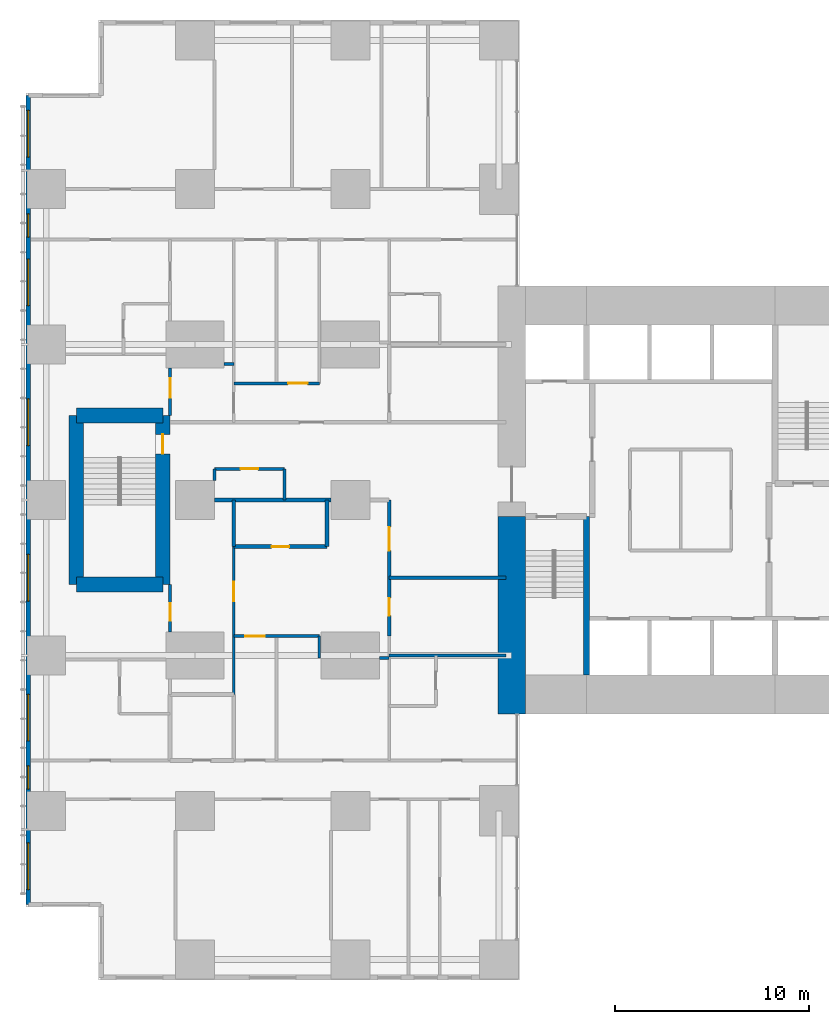
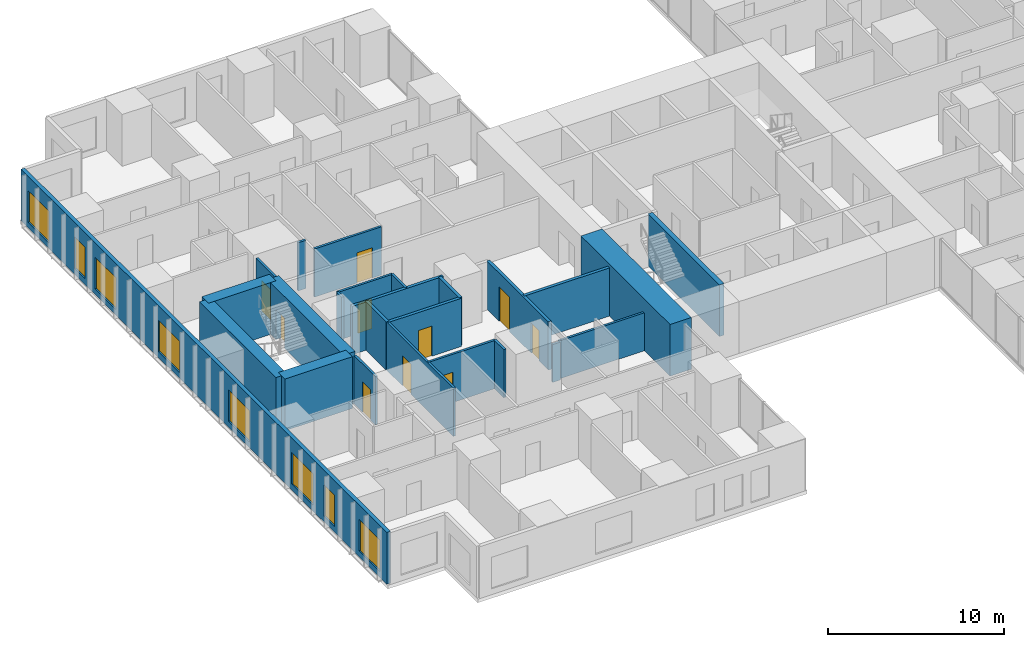
# One storey, part 13 of 20: 25 walls, 10 doors, 8 windows, 18 openings.
"""IFC4 building model written with IfcOpenShell, lengths in metres."""

import ifcopenshell
import ifcopenshell.guid

model = None  # the IFC model being written
_history = None  # IfcOwnerHistory: only IFC2X3 demands one
_inside = {}  # id of a spatial element -> (the spatial element, [elements in it])
_under = {}  # id of a project, library or spatial element -> (it, [spatial elements below it])
_declared = {}  # id of a project -> (the project, [libraries it declares])
_typed = {}  # id of a type object -> (the type object, [elements of that type])
_made_of = {}  # id of a material, layer set ... -> (it, [elements and type objects made of it])


def new_model(schema):
    """Start an empty IFC model of exactly this schema.

    Asked for "IFC4X3", IfcOpenShell would pick the latest addendum, in which some entities
    have other attributes; the version numbers below select the first issue.
    IFC2X3 requires an IfcOwnerHistory on every rooted entity: one is made here for all.
    """
    global model, _history
    if schema == "IFC4X3":
        model = ifcopenshell.file(schema_version=(4, 3, 0, 0))
    else:
        model = ifcopenshell.file(schema=schema)
    _inside.clear()
    _under.clear()
    _declared.clear()
    _typed.clear()
    _made_of.clear()
    _history = None
    if model.schema == "IFC2X3":
        org = make("IfcOrganization", Name="unknown")
        user = make(
            "IfcPersonAndOrganization",
            ThePerson=make("IfcPerson", FamilyName="unknown"),
            TheOrganization=org,
        )
        app = make(
            "IfcApplication",
            ApplicationDeveloper=org,
            Version="unknown",
            ApplicationFullName="unknown",
            ApplicationIdentifier="unknown",
        )
        _history = make(
            "IfcOwnerHistory",
            OwningUser=user,
            OwningApplication=app,
            ChangeAction="ADDED",
            CreationDate=0,
        )
    return model


def make(cls, **values):
    """One entity of the class cls with the attributes given. An attribute that is None is left unset."""
    return model.create_entity(
        cls, **{name: value for name, value in values.items() if value is not None}
    )


def rooted(cls, **values):
    """An entity with a GlobalId (a new one), such as an element, a storey or a relation."""
    return make(cls, GlobalId=ifcopenshell.guid.new(), OwnerHistory=_history, **values)


def si_unit(unit_type, name, prefix=None):
    """IfcSIUnit, for example si_unit("LENGTHUNIT", "METRE", prefix="MILLI")."""
    return make("IfcSIUnit", UnitType=unit_type, Prefix=prefix, Name=name)


def assignment(units):
    """IfcUnitAssignment: the units of a project."""
    return None if units is None else make("IfcUnitAssignment", Units=units)


def point(xyz):
    """IfcCartesianPoint."""
    return None if xyz is None else make("IfcCartesianPoint", Coordinates=xyz)


def direction(xyz):
    """IfcDirection."""
    return None if xyz is None else make("IfcDirection", DirectionRatios=xyz)


def frame(location, z_axis=None, x_axis=None):
    """IfcAxis2Placement3D, a coordinate frame: its origin and axes. An axis left out is left unset."""
    return make(
        "IfcAxis2Placement3D",
        Location=point(location),
        Axis=direction(z_axis),
        RefDirection=direction(x_axis),
    )


def frame_2d(location, x_axis=None):
    """IfcAxis2Placement2D, a coordinate frame in the plane: its origin and x axis."""
    return make(
        "IfcAxis2Placement2D", Location=point(location), RefDirection=direction(x_axis)
    )


def origin():
    """The frame at (0, 0, 0) with its axes left unset."""
    return frame((0.0, 0.0, 0.0))


def place(relative_to, where):
    """IfcLocalPlacement: puts the frame where relative to a parent placement (None: the world)."""
    return make(
        "IfcLocalPlacement", PlacementRelTo=relative_to, RelativePlacement=where
    )


def context(
    kind, dimensions, precision=None, world=None, true_north=None, identifier=None
):
    """IfcGeometricRepresentationContext, for example the 3D "Model" context."""
    return make(
        "IfcGeometricRepresentationContext",
        ContextIdentifier=identifier,
        ContextType=kind,
        CoordinateSpaceDimension=dimensions,
        Precision=precision,
        WorldCoordinateSystem=world,
        TrueNorth=true_north,
    )


def subcontext(parent, identifier, kind, view, scale=None):
    """IfcGeometricRepresentationSubContext, for example "Body" below "Model"."""
    return make(
        "IfcGeometricRepresentationSubContext",
        ContextIdentifier=identifier,
        ContextType=kind,
        ParentContext=parent,
        TargetScale=scale,
        TargetView=view,
    )


def project(units=None, contexts=None):
    """IfcProject with its units and contexts."""
    return rooted(
        "IfcProject",
        Name="project",
        RepresentationContexts=contexts,
        UnitsInContext=assignment(units),
    )


def spatial(cls, under=None, at=None, **own):
    """A site, building, storey or space (cls), placed at a placement, below another one or the project."""
    s = rooted(cls, ObjectPlacement=at, **own)
    if under is not None:
        _under.setdefault(under.id(), (under, []))[1].append(s)
    return s


def profile(cls, at=None, kind="AREA", **sizes):
    """A parametric profile (cls). Its sizes go by their IFC names, for example OverallWidth=200.0."""
    return make(cls, ProfileType=kind, Position=at, **sizes)


def rectangle(**sizes):
    """IfcRectangleProfileDef."""
    return profile("IfcRectangleProfileDef", **sizes)


def extrude(swept, where, along, depth):
    """IfcExtrudedAreaSolid: the profile swept, set in the frame where, extruded along a direction by depth."""
    return make(
        "IfcExtrudedAreaSolid",
        SweptArea=swept,
        Position=where,
        ExtrudedDirection=direction(along),
        Depth=depth,
    )


def shape(context_of_items, identifier, shape_type, items):
    """IfcShapeRepresentation: the items that make up one representation, for example the "Body"."""
    return make(
        "IfcShapeRepresentation",
        ContextOfItems=context_of_items,
        RepresentationIdentifier=identifier,
        RepresentationType=shape_type,
        Items=items,
    )


def material(Name=None, Category=None):
    """IfcMaterial."""
    return make("IfcMaterial", Name=Name, Category=Category)


def layer(
    of_material, thickness, ventilated=None, Name=None, Category=None, Priority=None
):
    """IfcMaterialLayer: one layer of a wall or slab, of a material (None: an air gap)."""
    return make(
        "IfcMaterialLayer",
        Material=of_material,
        LayerThickness=thickness,
        IsVentilated=ventilated,
        Name=Name,
        Category=Category,
        Priority=Priority,
    )


def layer_set(layers, Name=None):
    """IfcMaterialLayerSet."""
    return make("IfcMaterialLayerSet", MaterialLayers=layers, LayerSetName=Name)


def made_of(thing, what):
    """Note that an element or type object is made of a material, layer set ...; save() writes the relation."""
    if what is not None:
        _made_of.setdefault(what.id(), (what, []))[1].append(thing)
    return thing


def type_object(cls, material=None, **own):
    """A type object (cls), such as IfcWallType, which elements share."""
    return made_of(rooted(cls, **own), material)


def element(
    cls,
    number,
    at=None,
    inside=None,
    cuts=None,
    type_object=None,
    material=None,
    context=None,
    identifier="Body",
    shape_type=None,
    held_by="IfcProductDefinitionShape",
    body=None,
    shapes=None,
    **own,
):
    """One element of the class cls, such as IfcWall. Its Tag is "e" and its number.

    at: its placement. inside: the storey or other place that contains it. cuts: it is an
    opening in that element (IfcRelVoidsElement). A single representation is given by context,
    identifier, shape_type and body (its items); several are given by shapes. held_by: the class
    of the entity that holds the representations. save() writes the other relations.
    """
    e = rooted(cls, Tag="e%d" % number, ObjectPlacement=at, **own)
    if body is not None:
        shapes = [shape(context, identifier, shape_type, body)]
    if shapes is not None:
        e.Representation = make(held_by, Representations=shapes)
    if inside is not None:
        _inside.setdefault(inside.id(), (inside, []))[1].append(e)
    if cuts is not None:
        rooted(
            "IfcRelVoidsElement", RelatingBuildingElement=cuts, RelatedOpeningElement=e
        )
    if type_object is not None:
        _typed.setdefault(type_object.id(), (type_object, []))[1].append(e)
    return made_of(e, material)


def fill(opening, filler):
    """IfcRelFillsElement: the door or window that sits in an opening."""
    return rooted(
        "IfcRelFillsElement",
        RelatingOpeningElement=opening,
        RelatedBuildingElement=filler,
    )


def aggregate(whole, parts):
    """IfcRelAggregates: a whole, such as a stair, and the parts it consists of."""
    return rooted("IfcRelAggregates", RelatingObject=whole, RelatedObjects=parts)


def save(model, path):
    """Write the relations noted so far, then the file.

    IfcRelAggregates (storeys below a building ...), IfcRelContainedInSpatialStructure (elements
    in a storey), IfcRelDefinesByType, IfcRelAssociatesMaterial and IfcRelDeclares: one each for
    every whole, place, type object, material and project.
    """
    for whole, parts in _under.values():
        aggregate(whole, parts)
    for where, things in _inside.values():
        rooted(
            "IfcRelContainedInSpatialStructure",
            RelatedElements=things,
            RelatingStructure=where,
        )
    for kind, things in _typed.values():
        rooted("IfcRelDefinesByType", RelatedObjects=things, RelatingType=kind)
    for what, things in _made_of.values():
        rooted("IfcRelAssociatesMaterial", RelatedObjects=things, RelatingMaterial=what)
    for by, libraries in _declared.values():
        rooted("IfcRelDeclares", RelatingContext=by, RelatedDefinitions=libraries)
    model.write(path)


model = new_model("IFC4")

# Units and contexts
model_context = context("Model", 3, precision=1e-05, world=origin(), true_north=direction((0.0, 1.0)))
body_context = subcontext(model_context, "Body", "Model", "MODEL_VIEW")
ifc_project = project(units=[si_unit("LENGTHUNIT", "METRE"), si_unit("AREAUNIT", "SQUARE_METRE"), si_unit("VOLUMEUNIT", "CUBIC_METRE"), si_unit("PLANEANGLEUNIT", "RADIAN"), si_unit("MASSUNIT", "GRAM", prefix="KILO")], contexts=[model_context])

# Site, building, storey
site_placement = place(None, origin())
site = spatial("IfcSite", under=ifc_project, at=site_placement, CompositionType="ELEMENT")
building_placement = place(site_placement, origin())
building = spatial("IfcBuilding", under=site, at=building_placement, Name="Cleftline Residences", CompositionType="ELEMENT")
storey_placement = place(building_placement, frame((0.0, 0.0, 153.800048828125)))
storey = spatial("IfcBuildingStorey", under=building, at=storey_placement, Name="L40", CompositionType="ELEMENT", Elevation=153.800048828125)

# Walls
ifc_material_1 = material(Name="Concrete B70", Category="concrete")
ifc_layer_1 = layer(ifc_material_1, 1.39990234375)
ifc_layer_set_1 = layer_set([ifc_layer_1], Name="CORE WALL 1400")
wall_type_1 = type_object("IfcWallType", Name="CORE WALL 1400", PredefinedType="SHEAR", material=ifc_layer_set_1)
wall_1_placement = place(storey_placement, frame((24.300048828125, 13.0, 0.0), z_axis=(0.0, 0.0, 1.0), x_axis=(0.0, 1.0, 0.0)))
element("IfcWall", 1, at=wall_1_placement, inside=storey, type_object=wall_type_1, Name="Core wall W0", PredefinedType="SHEAR", context=body_context, shape_type="SweptSolid", body=[
    extrude(rectangle(XDim=10.14990234375, YDim=1.39990234375, at=frame_2d((5.074951171875, 0.0))), origin(), (0.0, 0.0, 1.0), 3.599853515625),
])
ifc_material_2 = material(Name="Concrete B70", Category="concrete")
ifc_layer_2 = layer(ifc_material_2, 0.300048828125)
ifc_layer_set_2 = layer_set([ifc_layer_2], Name="CORE WALL 300")
wall_type_2 = type_object("IfcWallType", Name="CORE WALL 300", PredefinedType="SHEAR", material=ifc_layer_set_2)
wall_2_placement = place(storey_placement, frame((28.14990234375, 15.0, 0.0), z_axis=(0.0, 0.0, 1.0), x_axis=(0.0, 1.0, 0.0)))
element("IfcWall", 2, at=wall_2_placement, inside=storey, type_object=wall_type_2, Name="Core wall SA-E", PredefinedType="SHEAR", context=body_context, shape_type="SweptSolid", body=[
    extrude(rectangle(XDim=8.14990234375, YDim=0.300048828125, at=frame_2d((4.074951171875, 0.0))), origin(), (0.0, 0.0, 1.0), 3.599853515625),
])

# Wall, openings, windows
ifc_material_3 = material(Name="Rendered reinforced concrete blockwork", Category="masonry")
ifc_layer_3 = layer(ifc_material_3, 0.25)
ifc_layer_set_3 = layer_set([ifc_layer_3], Name="EXTERNAL WALL 250")
wall_type_3 = type_object("IfcWallType", Name="EXTERNAL WALL 250", PredefinedType="SOLIDWALL", material=ifc_layer_set_3)
wall_3_placement = place(storey_placement, frame((-0.574951171875, 44.824951171875, 0.0), z_axis=(0.0, 0.0, 1.0), x_axis=(0.0, -1.0, 0.0)))
wall_3 = element("IfcWall", 3, at=wall_3_placement, inside=storey, type_object=wall_type_3, Name="External wall", PredefinedType="SOLIDWALL", context=body_context, shape_type="SweptSolid", body=[
    extrude(rectangle(XDim=41.64990234375, YDim=0.25, at=frame_2d((20.824951171875, 0.0))), origin(), (0.0, 0.0, 1.0), 3.599853515625),
])
opening_1_placement = place(wall_3_placement, frame((0.77490234375, 0.0, 0.39990234375)))
opening_1 = element("IfcOpeningElement", 4, at=opening_1_placement, cuts=wall_3, Name="Opening W12", PredefinedType="OPENING", context=body_context, shape_type="SweptSolid", body=[
    extrude(rectangle(XDim=2.39990234375, YDim=2.199951171875, at=frame_2d((1.199951171875, 1.10009765625))), frame((0.0, 0.135009765625, 0.0), z_axis=(0.0, -1.0, 0.0), x_axis=(1.0, 0.0, 0.0)), (0.0, 0.0, 1.0), 0.27001953125),
])
opening_2_placement = place(wall_3_placement, frame((6.10009765625, 0.0, 0.39990234375)))
opening_2 = element("IfcOpeningElement", 5, at=opening_2_placement, cuts=wall_3, Name="Opening W11", PredefinedType="OPENING", context=body_context, shape_type="SweptSolid", body=[
    extrude(rectangle(XDim=1.199951171875, YDim=2.199951171875, at=frame_2d((0.60009765625, 1.10009765625))), frame((0.0, 0.135009765625, 0.0), z_axis=(0.0, -1.0, 0.0), x_axis=(1.0, 0.0, 0.0)), (0.0, 0.0, 1.0), 0.27001953125),
])
opening_3_placement = place(wall_3_placement, frame((8.425048828125, 0.0, 0.39990234375)))
opening_3 = element("IfcOpeningElement", 6, at=opening_3_placement, cuts=wall_3, Name="Opening W12", PredefinedType="OPENING", context=body_context, shape_type="SweptSolid", body=[
    extrude(rectangle(XDim=2.39990234375, YDim=2.199951171875, at=frame_2d((1.199951171875, 1.10009765625))), frame((0.0, 0.135009765625, 0.0), z_axis=(0.0, -1.0, 0.0), x_axis=(1.0, 0.0, 0.0)), (0.0, 0.0, 1.0), 0.27001953125),
])
opening_4_placement = place(wall_3_placement, frame((15.625, 0.0, 0.39990234375)))
opening_4 = element("IfcOpeningElement", 7, at=opening_4_placement, cuts=wall_3, Name="Opening W12", PredefinedType="OPENING", context=body_context, shape_type="SweptSolid", body=[
    extrude(rectangle(XDim=2.39990234375, YDim=2.199951171875, at=frame_2d((1.199951171875, 1.10009765625))), frame((0.0, 0.135009765625, 0.0), z_axis=(0.0, -1.0, 0.0), x_axis=(1.0, 0.0, 0.0)), (0.0, 0.0, 1.0), 0.27001953125),
])
opening_5_placement = place(wall_3_placement, frame((23.625, 0.0, 0.39990234375)))
opening_5 = element("IfcOpeningElement", 8, at=opening_5_placement, cuts=wall_3, Name="Opening W12", PredefinedType="OPENING", context=body_context, shape_type="SweptSolid", body=[
    extrude(rectangle(XDim=2.39990234375, YDim=2.199951171875, at=frame_2d((1.199951171875, 1.10009765625))), frame((0.0, 0.135009765625, 0.0), z_axis=(0.0, -1.0, 0.0), x_axis=(1.0, 0.0, 0.0)), (0.0, 0.0, 1.0), 0.27001953125),
])
opening_6_placement = place(wall_3_placement, frame((30.824951171875, 0.0, 0.39990234375)))
opening_6 = element("IfcOpeningElement", 9, at=opening_6_placement, cuts=wall_3, Name="Opening W12", PredefinedType="OPENING", context=body_context, shape_type="SweptSolid", body=[
    extrude(rectangle(XDim=2.39990234375, YDim=2.199951171875, at=frame_2d((1.199951171875, 1.10009765625))), frame((0.0, 0.135009765625, 0.0), z_axis=(0.0, -1.0, 0.0), x_axis=(1.0, 0.0, 0.0)), (0.0, 0.0, 1.0), 0.27001953125),
])
opening_7_placement = place(wall_3_placement, frame((34.5, 0.0, 0.39990234375)))
opening_7 = element("IfcOpeningElement", 10, at=opening_7_placement, cuts=wall_3, Name="Opening W11", PredefinedType="OPENING", context=body_context, shape_type="SweptSolid", body=[
    extrude(rectangle(XDim=1.199951171875, YDim=2.199951171875, at=frame_2d((0.60009765625, 1.10009765625))), frame((0.0, 0.135009765625, 0.0), z_axis=(0.0, -1.0, 0.0), x_axis=(1.0, 0.0, 0.0)), (0.0, 0.0, 1.0), 0.27001953125),
])
opening_8_placement = place(wall_3_placement, frame((38.47509765625, 0.0, 0.39990234375)))
opening_8 = element("IfcOpeningElement", 11, at=opening_8_placement, cuts=wall_3, Name="Opening W12", PredefinedType="OPENING", context=body_context, shape_type="SweptSolid", body=[
    extrude(rectangle(XDim=2.39990234375, YDim=2.199951171875, at=frame_2d((1.199951171875, 1.10009765625))), frame((0.0, 0.135009765625, 0.0), z_axis=(0.0, -1.0, 0.0), x_axis=(1.0, 0.0, 0.0)), (0.0, 0.0, 1.0), 0.27001953125),
])
ifc_material_4 = material(Name="Aluminium frame, clear double glazing", Category="aluminium")
window_type_1 = type_object("IfcWindowType", Name="WINDOW 1200X2200", PartitioningType="DOUBLE_PANEL_VERTICAL", PredefinedType="WINDOW", material=ifc_material_4)
window_1_placement = place(opening_2_placement, origin())
window_1 = element("IfcWindow", 12, at=window_1_placement, inside=storey, type_object=window_type_1, Name="Window", OverallHeight=2.199951171875, OverallWidth=1.199951171875, PartitioningType="SINGLE_PANEL", PredefinedType="WINDOW", context=body_context, shape_type="SweptSolid", body=[
    extrude(rectangle(XDim=1.199951171875, YDim=2.199951171875, at=frame_2d((0.60009765625, 1.10009765625))), frame((0.0, 0.030029296875, 0.0), z_axis=(0.0, -1.0, 0.0), x_axis=(1.0, 0.0, 0.0)), (0.0, 0.0, 1.0), 0.06005859375),
])
fill(opening_2, window_1)
window_2_placement = place(opening_7_placement, origin())
window_2 = element("IfcWindow", 13, at=window_2_placement, inside=storey, type_object=window_type_1, Name="Window", OverallHeight=2.199951171875, OverallWidth=1.199951171875, PartitioningType="SINGLE_PANEL", PredefinedType="WINDOW", context=body_context, shape_type="SweptSolid", body=[
    extrude(rectangle(XDim=1.199951171875, YDim=2.199951171875, at=frame_2d((0.60009765625, 1.10009765625))), frame((0.0, 0.030029296875, 0.0), z_axis=(0.0, -1.0, 0.0), x_axis=(1.0, 0.0, 0.0)), (0.0, 0.0, 1.0), 0.06005859375),
])
fill(opening_7, window_2)
ifc_material_5 = material(Name="Aluminium frame, clear double glazing", Category="aluminium")
window_type_2 = type_object("IfcWindowType", Name="WINDOW 2400X2200", PartitioningType="DOUBLE_PANEL_VERTICAL", PredefinedType="WINDOW", material=ifc_material_5)
window_3_placement = place(opening_1_placement, origin())
window_3 = element("IfcWindow", 14, at=window_3_placement, inside=storey, type_object=window_type_2, Name="Window", OverallHeight=2.199951171875, OverallWidth=2.39990234375, PartitioningType="SINGLE_PANEL", PredefinedType="WINDOW", context=body_context, shape_type="SweptSolid", body=[
    extrude(rectangle(XDim=2.39990234375, YDim=2.199951171875, at=frame_2d((1.199951171875, 1.10009765625))), frame((0.0, 0.030029296875, 0.0), z_axis=(0.0, -1.0, 0.0), x_axis=(1.0, 0.0, 0.0)), (0.0, 0.0, 1.0), 0.06005859375),
])
fill(opening_1, window_3)
window_4_placement = place(opening_3_placement, origin())
window_4 = element("IfcWindow", 15, at=window_4_placement, inside=storey, type_object=window_type_2, Name="Window", OverallHeight=2.199951171875, OverallWidth=2.39990234375, PartitioningType="SINGLE_PANEL", PredefinedType="WINDOW", context=body_context, shape_type="SweptSolid", body=[
    extrude(rectangle(XDim=2.39990234375, YDim=2.199951171875, at=frame_2d((1.199951171875, 1.10009765625))), frame((0.0, 0.030029296875, 0.0), z_axis=(0.0, -1.0, 0.0), x_axis=(1.0, 0.0, 0.0)), (0.0, 0.0, 1.0), 0.06005859375),
])
fill(opening_3, window_4)
window_5_placement = place(opening_4_placement, origin())
window_5 = element("IfcWindow", 16, at=window_5_placement, inside=storey, type_object=window_type_2, Name="Window", OverallHeight=2.199951171875, OverallWidth=2.39990234375, PartitioningType="SINGLE_PANEL", PredefinedType="WINDOW", context=body_context, shape_type="SweptSolid", body=[
    extrude(rectangle(XDim=2.39990234375, YDim=2.199951171875, at=frame_2d((1.199951171875, 1.10009765625))), frame((0.0, 0.030029296875, 0.0), z_axis=(0.0, -1.0, 0.0), x_axis=(1.0, 0.0, 0.0)), (0.0, 0.0, 1.0), 0.06005859375),
])
fill(opening_4, window_5)
window_6_placement = place(opening_5_placement, origin())
window_6 = element("IfcWindow", 17, at=window_6_placement, inside=storey, type_object=window_type_2, Name="Window", OverallHeight=2.199951171875, OverallWidth=2.39990234375, PartitioningType="SINGLE_PANEL", PredefinedType="WINDOW", context=body_context, shape_type="SweptSolid", body=[
    extrude(rectangle(XDim=2.39990234375, YDim=2.199951171875, at=frame_2d((1.199951171875, 1.10009765625))), frame((0.0, 0.030029296875, 0.0), z_axis=(0.0, -1.0, 0.0), x_axis=(1.0, 0.0, 0.0)), (0.0, 0.0, 1.0), 0.06005859375),
])
fill(opening_5, window_6)
window_7_placement = place(opening_6_placement, origin())
window_7 = element("IfcWindow", 18, at=window_7_placement, inside=storey, type_object=window_type_2, Name="Window", OverallHeight=2.199951171875, OverallWidth=2.39990234375, PartitioningType="SINGLE_PANEL", PredefinedType="WINDOW", context=body_context, shape_type="SweptSolid", body=[
    extrude(rectangle(XDim=2.39990234375, YDim=2.199951171875, at=frame_2d((1.199951171875, 1.10009765625))), frame((0.0, 0.030029296875, 0.0), z_axis=(0.0, -1.0, 0.0), x_axis=(1.0, 0.0, 0.0)), (0.0, 0.0, 1.0), 0.06005859375),
])
fill(opening_6, window_7)
window_8_placement = place(opening_8_placement, origin())
window_8 = element("IfcWindow", 19, at=window_8_placement, inside=storey, type_object=window_type_2, Name="Window", OverallHeight=2.199951171875, OverallWidth=2.39990234375, PartitioningType="SINGLE_PANEL", PredefinedType="WINDOW", context=body_context, shape_type="SweptSolid", body=[
    extrude(rectangle(XDim=2.39990234375, YDim=2.199951171875, at=frame_2d((1.199951171875, 1.10009765625))), frame((0.0, 0.030029296875, 0.0), z_axis=(0.0, -1.0, 0.0), x_axis=(1.0, 0.0, 0.0)), (0.0, 0.0, 1.0), 0.06005859375),
])
fill(opening_8, window_8)

# Wall
ifc_material_6 = material(Name="Concrete blockwork, fire rated", Category="masonry")
ifc_layer_4 = layer(ifc_material_6, 0.199951171875)
ifc_layer_set_4 = layer_set([ifc_layer_4], Name="FIRE WALL 200")
wall_type_4 = type_object("IfcWallType", Name="FIRE WALL 200", PredefinedType="PARTITIONING", material=ifc_layer_set_4)
wall_4_placement = place(storey_placement, frame((18.0, 20.0, 0.0), z_axis=(0.0, 0.0, 1.0), x_axis=(1.0, 0.0, 0.0)))
element("IfcWall", 20, at=wall_4_placement, inside=storey, type_object=wall_type_4, Name="Fire separating wall", PredefinedType="PARTITIONING", context=body_context, shape_type="SweptSolid", body=[
    extrude(rectangle(XDim=6.0, YDim=0.199951171875, at=frame_2d((3.0, 0.0))), origin(), (0.0, 0.0, 1.0), 3.349853515625),
])

# Wall, opening, door
wall_5_placement = place(storey_placement, frame((10.0, 21.60009765625, 0.0), z_axis=(0.0, 0.0, 1.0), x_axis=(1.0, 0.0, 0.0)))
wall_5 = element("IfcWall", 21, at=wall_5_placement, inside=storey, type_object=wall_type_4, Name="Fire separating wall", PredefinedType="PARTITIONING", context=body_context, shape_type="SweptSolid", body=[
    extrude(rectangle(XDim=4.800048828125, YDim=0.199951171875, at=frame_2d((2.39990234375, 0.0))), origin(), (0.0, 0.0, 1.0), 3.349853515625),
])
opening_9_placement = place(wall_5_placement, frame((1.949951171875, 0.0, 0.0)))
opening_9 = element("IfcOpeningElement", 22, at=opening_9_placement, cuts=wall_5, Name="Opening D1F30", PredefinedType="OPENING", context=body_context, shape_type="SweptSolid", body=[
    extrude(rectangle(XDim=0.89990234375, YDim=2.10009765625, at=frame_2d((0.449951171875, 1.050048828125))), frame((0.0, 0.10986328125, 0.0), z_axis=(0.0, -1.0, 0.0), x_axis=(1.0, 0.0, 0.0)), (0.0, 0.0, 1.0), 0.219970703125),
])
ifc_material_7 = material(Name="Timber veneer on solid core", Category="wood")
door_type_1 = type_object("IfcDoorType", Name="DOOR 900X2100 EI 30", OperationType="SINGLE_SWING_LEFT", PredefinedType="DOOR", material=ifc_material_7)
door_1_placement = place(opening_9_placement, origin())
door_1 = element("IfcDoor", 23, at=door_1_placement, inside=storey, type_object=door_type_1, Name="Door to cloakroom wc", OperationType="SINGLE_SWING_LEFT", OverallHeight=2.10009765625, OverallWidth=0.89990234375, PredefinedType="DOOR", context=body_context, shape_type="SweptSolid", body=[
    extrude(rectangle(XDim=0.89990234375, YDim=2.10009765625, at=frame_2d((0.449951171875, 1.050048828125))), frame((0.0, 0.02490234375, 0.0), z_axis=(0.0, -1.0, 0.0), x_axis=(1.0, 0.0, 0.0)), (0.0, 0.0, 1.0), 0.050048828125),
])
fill(opening_9, door_1)

# Walls
wall_6_placement = place(storey_placement, frame((9.0, 24.0, 0.0), z_axis=(0.0, 0.0, 1.0), x_axis=(1.0, 0.0, 0.0)))
element("IfcWall", 24, at=wall_6_placement, inside=storey, type_object=wall_type_4, Name="Fire separating wall", PredefinedType="PARTITIONING", context=body_context, shape_type="SweptSolid", body=[
    extrude(rectangle(XDim=6.0, YDim=0.199951171875, at=frame_2d((3.0, 0.0))), origin(), (0.0, 0.0, 1.0), 3.349853515625),
])
for number, where, z_axis, x_axis, name in (
    (25, (10.0, 21.60009765625, 0.0), (0.0, 0.0, 1.0), (0.0, 1.0, 0.0), "Fire separating wall"),
    (26, (14.800048828125, 21.60009765625, 0.0), (0.0, 0.0, 1.0), (0.0, 1.0, 0.0), "Fire separating wall"),
):
    element("IfcWall", number, at=place(storey_placement, frame(where, z_axis=z_axis, x_axis=x_axis)), inside=storey, type_object=wall_type_4, Name=name, PredefinedType="PARTITIONING", context=body_context, shape_type="SweptSolid", body=[
        extrude(rectangle(XDim=2.39990234375, YDim=0.199951171875, at=frame_2d((1.199951171875, 0.0))), origin(), (0.0, 0.0, 1.0), 3.349853515625),
    ])

# Wall, openings, doors
wall_7_placement = place(storey_placement, frame((18.0, 17.0, 0.0), z_axis=(0.0, 0.0, 1.0), x_axis=(0.0, 1.0, 0.0)))
wall_7 = element("IfcWall", 27, at=wall_7_placement, inside=storey, type_object=wall_type_4, Name="Fire separating wall", PredefinedType="PARTITIONING", context=body_context, shape_type="SweptSolid", body=[
    extrude(rectangle(XDim=7.0, YDim=0.199951171875, at=frame_2d((3.5, 0.0))), origin(), (0.0, 0.0, 1.0), 3.349853515625),
])
opening_10_placement = place(wall_7_placement, frame((4.39990234375, 0.0, 0.0)))
opening_10 = element("IfcOpeningElement", 28, at=opening_10_placement, cuts=wall_7, Name="Opening D4", PredefinedType="OPENING", context=body_context, shape_type="SweptSolid", body=[
    extrude(rectangle(XDim=1.199951171875, YDim=2.39990234375, at=frame_2d((0.60009765625, 1.199951171875))), frame((0.0, 0.10986328125, 0.0), z_axis=(0.0, -1.0, 0.0), x_axis=(1.0, 0.0, 0.0)), (0.0, 0.0, 1.0), 0.219970703125),
])
opening_11_placement = place(wall_7_placement, frame((1.050048828125, 0.0, 0.0)))
opening_11 = element("IfcOpeningElement", 29, at=opening_11_placement, cuts=wall_7, Name="Opening D1F30", PredefinedType="OPENING", context=body_context, shape_type="SweptSolid", body=[
    extrude(rectangle(XDim=0.89990234375, YDim=2.10009765625, at=frame_2d((0.449951171875, 1.050048828125))), frame((0.0, 0.10986328125, 0.0), z_axis=(0.0, -1.0, 0.0), x_axis=(1.0, 0.0, 0.0)), (0.0, 0.0, 1.0), 0.219970703125),
])
ifc_material_8 = material(Name="Timber veneer on solid core", Category="wood")
door_type_2 = type_object("IfcDoorType", Name="APARTMENT ENTRANCE DOOR 1200X2400", OperationType="SINGLE_SWING_RIGHT", PredefinedType="DOOR", material=ifc_material_8)
door_2_placement = place(opening_10_placement, origin())
door_2 = element("IfcDoor", 30, at=door_2_placement, inside=storey, type_object=door_type_2, Name="Door to residence entrance foyer", OperationType="SINGLE_SWING_LEFT", OverallHeight=2.39990234375, OverallWidth=1.199951171875, PredefinedType="DOOR", context=body_context, shape_type="SweptSolid", body=[
    extrude(rectangle(XDim=1.199951171875, YDim=2.39990234375, at=frame_2d((0.60009765625, 1.199951171875))), frame((0.0, 0.02490234375, 0.0), z_axis=(0.0, -1.0, 0.0), x_axis=(1.0, 0.0, 0.0)), (0.0, 0.0, 1.0), 0.050048828125),
])
fill(opening_10, door_2)
door_3_placement = place(opening_11_placement, origin())
door_3 = element("IfcDoor", 31, at=door_3_placement, inside=storey, type_object=door_type_1, Name="Door to utility room", OperationType="SINGLE_SWING_RIGHT", OverallHeight=2.10009765625, OverallWidth=0.89990234375, PredefinedType="DOOR", context=body_context, shape_type="SweptSolid", body=[
    extrude(rectangle(XDim=0.89990234375, YDim=2.10009765625, at=frame_2d((0.449951171875, 1.050048828125))), frame((0.0, 0.02490234375, 0.0), z_axis=(0.0, -1.0, 0.0), x_axis=(1.0, 0.0, 0.0)), (0.0, 0.0, 1.0), 0.050048828125),
])
fill(opening_11, door_3)

# Walls
ifc_material_9 = material(Name="Gypsum board on steel studs", Category="steel")
ifc_layer_5 = layer(ifc_material_9, 0.14990234375)
ifc_layer_set_5 = layer_set([ifc_layer_5], Name="PARTITION 150")
wall_type_5 = type_object("IfcWallType", Name="PARTITION 150", PredefinedType="PARTITIONING", material=ifc_layer_set_5)
wall_8_placement = place(storey_placement, frame((17.5, 15.875, 0.0), z_axis=(0.0, 0.0, 1.0), x_axis=(1.0, 0.0, 0.0)))
element("IfcWall", 32, at=wall_8_placement, inside=storey, type_object=wall_type_5, Name="Partition", PredefinedType="PARTITIONING", context=body_context, shape_type="SweptSolid", body=[
    extrude(rectangle(XDim=0.5, YDim=0.14990234375, at=frame_2d((0.25, 0.0))), origin(), (0.0, 0.0, 1.0), 2.634033203125),
])
wall_9_placement = place(storey_placement, frame((18.0, 16.0, 0.0), z_axis=(0.0, 0.0, 1.0), x_axis=(1.0, 0.0, 0.0)))
element("IfcWall", 33, at=wall_9_placement, inside=storey, type_object=wall_type_5, Name="Partition", PredefinedType="PARTITIONING", context=body_context, shape_type="SweptSolid", body=[
    extrude(rectangle(XDim=6.0, YDim=0.14990234375, at=frame_2d((3.0, 0.0))), origin(), (0.0, 0.0, 1.0), 2.634033203125),
])

# Wall, opening, door
wall_10_placement = place(storey_placement, frame((10.0, 17.0, 0.0), z_axis=(0.0, 0.0, 1.0), x_axis=(1.0, 0.0, 0.0)))
wall_10 = element("IfcWall", 34, at=wall_10_placement, inside=storey, type_object=wall_type_5, Name="Partition", PredefinedType="PARTITIONING", context=body_context, shape_type="SweptSolid", body=[
    extrude(rectangle(XDim=4.39990234375, YDim=0.14990234375, at=frame_2d((2.199951171875, 0.0))), origin(), (0.0, 0.0, 1.0), 3.349853515625),
])
opening_12_placement = place(wall_10_placement, frame((0.60009765625, 0.0, 0.0)))
opening_12 = element("IfcOpeningElement", 35, at=opening_12_placement, cuts=wall_10, Name="Opening D2", PredefinedType="OPENING", context=body_context, shape_type="SweptSolid", body=[
    extrude(rectangle(XDim=1.0, YDim=2.10009765625, at=frame_2d((0.5, 1.050048828125))), frame((0.0, 0.0849609375, 0.0), z_axis=(0.0, -1.0, 0.0), x_axis=(1.0, 0.0, 0.0)), (0.0, 0.0, 1.0), 0.169921875),
])
ifc_material_10 = material(Name="Timber veneer on solid core", Category="wood")
door_type_3 = type_object("IfcDoorType", Name="DOOR 1000X2100", OperationType="SINGLE_SWING_LEFT", PredefinedType="DOOR", material=ifc_material_10)
door_4_placement = place(opening_12_placement, origin())
door_4 = element("IfcDoor", 36, at=door_4_placement, inside=storey, type_object=door_type_3, Name="Door to residence passage", OperationType="SINGLE_SWING_RIGHT", OverallHeight=2.10009765625, OverallWidth=1.0, PredefinedType="DOOR", context=body_context, shape_type="SweptSolid", body=[
    extrude(rectangle(XDim=1.0, YDim=2.10009765625, at=frame_2d((0.5, 1.050048828125))), frame((0.0, 0.02490234375, 0.0), z_axis=(0.0, -1.0, 0.0), x_axis=(1.0, 0.0, 0.0)), (0.0, 0.0, 1.0), 0.050048828125),
])
fill(opening_12, door_4)

wall_11_placement = place(storey_placement, frame((9.0, 25.60009765625, 0.0), z_axis=(0.0, 0.0, 1.0), x_axis=(1.0, 0.0, 0.0)))
wall_11 = element("IfcWall", 37, at=wall_11_placement, inside=storey, type_object=wall_type_5, Name="Partition", PredefinedType="PARTITIONING", context=body_context, shape_type="SweptSolid", body=[
    extrude(rectangle(XDim=3.60009765625, YDim=0.14990234375, at=frame_2d((1.800048828125, 0.0))), origin(), (0.0, 0.0, 1.0), 3.349853515625),
])
opening_13_placement = place(wall_11_placement, frame((1.35009765625, 0.0, 0.0)))
opening_13 = element("IfcOpeningElement", 38, at=opening_13_placement, cuts=wall_11, Name="Opening D1", PredefinedType="OPENING", context=body_context, shape_type="SweptSolid", body=[
    extrude(rectangle(XDim=0.89990234375, YDim=2.10009765625, at=frame_2d((0.449951171875, 1.050048828125))), frame((0.0, 0.0849609375, 0.0), z_axis=(0.0, -1.0, 0.0), x_axis=(1.0, 0.0, 0.0)), (0.0, 0.0, 1.0), 0.169921875),
])
ifc_material_11 = material(Name="Timber veneer on solid core", Category="wood")
door_type_4 = type_object("IfcDoorType", Name="DOOR 900X2100", OperationType="SINGLE_SWING_LEFT", PredefinedType="DOOR", material=ifc_material_11)
door_5_placement = place(opening_13_placement, origin())
door_5 = element("IfcDoor", 39, at=door_5_placement, inside=storey, type_object=door_type_4, Name="Door to residents' storage room", OperationType="SINGLE_SWING_LEFT", OverallHeight=2.10009765625, OverallWidth=0.89990234375, PredefinedType="DOOR", context=body_context, shape_type="SweptSolid", body=[
    extrude(rectangle(XDim=0.89990234375, YDim=2.10009765625, at=frame_2d((0.449951171875, 1.050048828125))), frame((0.0, 0.02490234375, 0.0), z_axis=(0.0, -1.0, 0.0), x_axis=(1.0, 0.0, 0.0)), (0.0, 0.0, 1.0), 0.050048828125),
])
fill(opening_13, door_5)

wall_12_placement = place(storey_placement, frame((10.0, 30.0, 0.0), z_axis=(0.0, 0.0, 1.0), x_axis=(1.0, 0.0, 0.0)))
wall_12 = element("IfcWall", 40, at=wall_12_placement, inside=storey, type_object=wall_type_5, Name="Partition", PredefinedType="PARTITIONING", context=body_context, shape_type="SweptSolid", body=[
    extrude(rectangle(XDim=4.39990234375, YDim=0.14990234375, at=frame_2d((2.199951171875, 0.0))), origin(), (0.0, 0.0, 1.0), 3.349853515625),
])
opening_14_placement = place(wall_12_placement, frame((2.800048828125, 0.0, 0.0)))
opening_14 = element("IfcOpeningElement", 41, at=opening_14_placement, cuts=wall_12, Name="Opening D2", PredefinedType="OPENING", context=body_context, shape_type="SweptSolid", body=[
    extrude(rectangle(XDim=1.0, YDim=2.10009765625, at=frame_2d((0.5, 1.050048828125))), frame((0.0, 0.0849609375, 0.0), z_axis=(0.0, -1.0, 0.0), x_axis=(1.0, 0.0, 0.0)), (0.0, 0.0, 1.0), 0.169921875),
])
door_6_placement = place(opening_14_placement, origin())
door_6 = element("IfcDoor", 42, at=door_6_placement, inside=storey, type_object=door_type_3, Name="Door to residence passage", OperationType="SINGLE_SWING_LEFT", OverallHeight=2.10009765625, OverallWidth=1.0, PredefinedType="DOOR", context=body_context, shape_type="SweptSolid", body=[
    extrude(rectangle(XDim=1.0, YDim=2.10009765625, at=frame_2d((0.5, 1.050048828125))), frame((0.0, 0.02490234375, 0.0), z_axis=(0.0, -1.0, 0.0), x_axis=(1.0, 0.0, 0.0)), (0.0, 0.0, 1.0), 0.050048828125),
])
fill(opening_14, door_6)

# Wall
wall_13_placement = place(storey_placement, frame((9.5, 31.0, 0.0), z_axis=(0.0, 0.0, 1.0), x_axis=(1.0, 0.0, 0.0)))
element("IfcWall", 43, at=wall_13_placement, inside=storey, type_object=wall_type_5, Name="Partition", PredefinedType="PARTITIONING", context=body_context, shape_type="SweptSolid", body=[
    extrude(rectangle(XDim=0.5, YDim=0.14990234375, at=frame_2d((0.25, 0.0))), origin(), (0.0, 0.0, 1.0), 3.349853515625),
])

# Wall, opening, door
wall_14_placement = place(storey_placement, frame((6.72509765625, 17.199951171875, 0.0), z_axis=(0.0, 0.0, 1.0), x_axis=(0.0, 1.0, 0.0)))
wall_14 = element("IfcWall", 44, at=wall_14_placement, inside=storey, type_object=wall_type_5, Name="Partition", PredefinedType="PARTITIONING", context=body_context, shape_type="SweptSolid", body=[
    extrude(rectangle(XDim=2.449951171875, YDim=0.14990234375, at=frame_2d((1.22509765625, 0.0))), origin(), (0.0, 0.0, 1.0), 3.349853515625),
])
opening_15_placement = place(wall_14_placement, frame((0.58740234375, 0.0, 0.0)))
opening_15 = element("IfcOpeningElement", 45, at=opening_15_placement, cuts=wall_14, Name="Opening D1", PredefinedType="OPENING", context=body_context, shape_type="SweptSolid", body=[
    extrude(rectangle(XDim=0.89990234375, YDim=2.10009765625, at=frame_2d((0.449951171875, 1.050048828125))), frame((0.0, 0.0849609375, 0.0), z_axis=(0.0, -1.0, 0.0), x_axis=(1.0, 0.0, 0.0)), (0.0, 0.0, 1.0), 0.169921875),
])
door_7_placement = place(opening_15_placement, origin())
door_7 = element("IfcDoor", 46, at=door_7_placement, inside=storey, type_object=door_type_4, Name="Door to drying loggia", OperationType="SINGLE_SWING_RIGHT", OverallHeight=2.10009765625, OverallWidth=0.89990234375, PredefinedType="DOOR", context=body_context, shape_type="SweptSolid", body=[
    extrude(rectangle(XDim=0.89990234375, YDim=2.10009765625, at=frame_2d((0.449951171875, 1.050048828125))), frame((0.0, 0.02490234375, 0.0), z_axis=(0.0, -1.0, 0.0), x_axis=(1.0, 0.0, 0.0)), (0.0, 0.0, 1.0), 0.050048828125),
])
fill(opening_15, door_7)

wall_15_placement = place(storey_placement, frame((6.72509765625, 28.35009765625, 0.0), z_axis=(0.0, 0.0, 1.0), x_axis=(0.0, 1.0, 0.0)))
wall_15 = element("IfcWall", 47, at=wall_15_placement, inside=storey, type_object=wall_type_5, Name="Partition", PredefinedType="PARTITIONING", context=body_context, shape_type="SweptSolid", body=[
    extrude(rectangle(XDim=2.449951171875, YDim=0.14990234375, at=frame_2d((1.22509765625, 0.0))), origin(), (0.0, 0.0, 1.0), 3.349853515625),
])
opening_16_placement = place(wall_15_placement, frame((0.91259765625, 0.0, 0.0)))
opening_16 = element("IfcOpeningElement", 48, at=opening_16_placement, cuts=wall_15, Name="Opening D2", PredefinedType="OPENING", context=body_context, shape_type="SweptSolid", body=[
    extrude(rectangle(XDim=1.0, YDim=2.10009765625, at=frame_2d((0.5, 1.050048828125))), frame((0.0, 0.0849609375, 0.0), z_axis=(0.0, -1.0, 0.0), x_axis=(1.0, 0.0, 0.0)), (0.0, 0.0, 1.0), 0.169921875),
])
door_8_placement = place(opening_16_placement, origin())
door_8 = element("IfcDoor", 49, at=door_8_placement, inside=storey, type_object=door_type_3, Name="Door to winter garden", OperationType="SINGLE_SWING_LEFT", OverallHeight=2.10009765625, OverallWidth=1.0, PredefinedType="DOOR", context=body_context, shape_type="SweptSolid", body=[
    extrude(rectangle(XDim=1.0, YDim=2.10009765625, at=frame_2d((0.5, 1.050048828125))), frame((0.0, 0.02490234375, 0.0), z_axis=(0.0, -1.0, 0.0), x_axis=(1.0, 0.0, 0.0)), (0.0, 0.0, 1.0), 0.050048828125),
])
fill(opening_16, door_8)

# Wall
wall_16_placement = place(storey_placement, frame((9.0, 25.0, 0.0), z_axis=(0.0, 0.0, 1.0), x_axis=(0.0, 1.0, 0.0)))
element("IfcWall", 50, at=wall_16_placement, inside=storey, type_object=wall_type_5, Name="Partition", PredefinedType="PARTITIONING", context=body_context, shape_type="SweptSolid", body=[
    extrude(rectangle(XDim=0.60009765625, YDim=0.14990234375, at=frame_2d((0.300048828125, 0.0))), origin(), (0.0, 0.0, 1.0), 3.349853515625),
])

# Wall, opening, door
wall_17_placement = place(storey_placement, frame((10.0, 14.0, 0.0), z_axis=(0.0, 0.0, 1.0), x_axis=(0.0, 1.0, 0.0)))
wall_17 = element("IfcWall", 51, at=wall_17_placement, inside=storey, type_object=wall_type_5, Name="Partition", PredefinedType="PARTITIONING", context=body_context, shape_type="SweptSolid", body=[
    extrude(rectangle(XDim=7.60009765625, YDim=0.14990234375, at=frame_2d((3.800048828125, 0.0))), origin(), (0.0, 0.0, 1.0), 3.349853515625),
])
opening_17_placement = place(wall_17_placement, frame((4.800048828125, 0.0, 0.0)))
opening_17 = element("IfcOpeningElement", 52, at=opening_17_placement, cuts=wall_17, Name="Opening D2F30", PredefinedType="OPENING", context=body_context, shape_type="SweptSolid", body=[
    extrude(rectangle(XDim=1.0, YDim=2.10009765625, at=frame_2d((0.5, 1.050048828125))), frame((0.0, 0.0849609375, 0.0), z_axis=(0.0, -1.0, 0.0), x_axis=(1.0, 0.0, 0.0)), (0.0, 0.0, 1.0), 0.169921875),
])
ifc_material_12 = material(Name="Timber veneer on solid core", Category="wood")
door_type_5 = type_object("IfcDoorType", Name="DOOR 1000X2100 EI 30", OperationType="SINGLE_SWING_LEFT", PredefinedType="DOOR", material=ifc_material_12)
door_9_placement = place(opening_17_placement, origin())
door_9 = element("IfcDoor", 53, at=door_9_placement, inside=storey, type_object=door_type_5, Name="Door to residence lobby", OperationType="SINGLE_SWING_LEFT", OverallHeight=2.10009765625, OverallWidth=1.0, PredefinedType="DOOR", context=body_context, shape_type="SweptSolid", body=[
    extrude(rectangle(XDim=1.0, YDim=2.10009765625, at=frame_2d((0.5, 1.050048828125))), frame((0.0, 0.02490234375, 0.0), z_axis=(0.0, -1.0, 0.0), x_axis=(1.0, 0.0, 0.0)), (0.0, 0.0, 1.0), 0.050048828125),
])
fill(opening_17, door_9)

# Walls
wall_18_placement = place(storey_placement, frame((12.60009765625, 24.0, 0.0), z_axis=(0.0, 0.0, 1.0), x_axis=(0.0, 1.0, 0.0)))
element("IfcWall", 54, at=wall_18_placement, inside=storey, type_object=wall_type_5, Name="Partition", PredefinedType="PARTITIONING", context=body_context, shape_type="SweptSolid", body=[
    extrude(rectangle(XDim=1.60009765625, YDim=0.14990234375, at=frame_2d((0.800048828125, 0.0))), origin(), (0.0, 0.0, 1.0), 3.349853515625),
])
wall_19_placement = place(storey_placement, frame((14.39990234375, 15.875, 0.0), z_axis=(0.0, 0.0, 1.0), x_axis=(0.0, 1.0, 0.0)))
element("IfcWall", 55, at=wall_19_placement, inside=storey, type_object=wall_type_5, Name="Partition", PredefinedType="PARTITIONING", context=body_context, shape_type="SweptSolid", body=[
    extrude(rectangle(XDim=1.125, YDim=0.14990234375, at=frame_2d((0.5625, 0.0))), origin(), (0.0, 0.0, 1.0), 3.349853515625),
])
ifc_material_13 = material(Name="Concrete B70", Category="concrete")
ifc_layer_6 = layer(ifc_material_13, 0.75)
ifc_layer_set_6 = layer_set([ifc_layer_6], Name="SHEAR WALL 750")
wall_type_6 = type_object("IfcWallType", Name="SHEAR WALL 750", PredefinedType="SHEAR", material=ifc_layer_set_6)
wall_20_placement = place(storey_placement, frame((1.89990234375, 19.64990234375, 0.0), z_axis=(0.0, 0.0, 1.0), x_axis=(1.0, 0.0, 0.0)))
element("IfcWall", 56, at=wall_20_placement, inside=storey, type_object=wall_type_6, Name="Wing shear wall", PredefinedType="SHEAR", context=body_context, shape_type="SweptSolid", body=[
    extrude(rectangle(XDim=4.4501953125, YDim=0.75, at=frame_2d((2.22509765625, 0.0))), origin(), (0.0, 0.0, 1.0), 3.599853515625),
])

# Wall, opening, door
wall_21_placement = place(storey_placement, frame((6.35009765625, 19.64990234375, 0.0), z_axis=(0.0, 0.0, 1.0), x_axis=(0.0, 1.0, 0.0)))
wall_21 = element("IfcWall", 57, at=wall_21_placement, inside=storey, type_object=wall_type_6, Name="Wing shear wall", PredefinedType="SHEAR", context=body_context, shape_type="SweptSolid", body=[
    extrude(rectangle(XDim=8.7001953125, YDim=0.75, at=frame_2d((4.35009765625, 0.0))), origin(), (0.0, 0.0, 1.0), 3.599853515625),
])
opening_18_placement = place(wall_21_placement, frame((6.72509765625, 0.0, 0.0)))
opening_18 = element("IfcOpeningElement", 58, at=opening_18_placement, cuts=wall_21, Name="Opening D5", PredefinedType="OPENING", context=body_context, shape_type="SweptSolid", body=[
    extrude(rectangle(XDim=1.0, YDim=2.10009765625, at=frame_2d((0.5, 1.050048828125))), frame((0.0, 0.385009765625, 0.0), z_axis=(0.0, -1.0, 0.0), x_axis=(1.0, 0.0, 0.0)), (0.0, 0.0, 1.0), 0.77001953125),
])
ifc_material_14 = material(Name="Steel", Category="steel")
door_type_6 = type_object("IfcDoorType", Name="STAIR DOOR 1000X2100", OperationType="SINGLE_SWING_LEFT", PredefinedType="DOOR", material=ifc_material_14)
door_10_placement = place(opening_18_placement, origin())
door_10 = element("IfcDoor", 59, at=door_10_placement, inside=storey, type_object=door_type_6, Name="Stair W door", OperationType="SINGLE_SWING_LEFT", OverallHeight=2.10009765625, OverallWidth=1.0, PredefinedType="DOOR", context=body_context, shape_type="SweptSolid", body=[
    extrude(rectangle(XDim=1.0, YDim=2.10009765625, at=frame_2d((0.5, 1.050048828125))), frame((0.0, 0.02490234375, 0.0), z_axis=(0.0, -1.0, 0.0), x_axis=(1.0, 0.0, 0.0)), (0.0, 0.0, 1.0), 0.050048828125),
])
fill(opening_18, door_10)

# Walls
wall_22_placement = place(storey_placement, frame((6.35009765625, 28.35009765625, 0.0), z_axis=(0.0, 0.0, 1.0), x_axis=(-1.0, 0.0, 0.0)))
element("IfcWall", 60, at=wall_22_placement, inside=storey, type_object=wall_type_6, Name="Wing shear wall", PredefinedType="SHEAR", context=body_context, shape_type="SweptSolid", body=[
    extrude(rectangle(XDim=4.4501953125, YDim=0.75, at=frame_2d((2.22509765625, 0.0))), origin(), (0.0, 0.0, 1.0), 3.599853515625),
])
wall_23_placement = place(storey_placement, frame((1.89990234375, 28.35009765625, 0.0), z_axis=(0.0, 0.0, 1.0), x_axis=(0.0, -1.0, 0.0)))
element("IfcWall", 61, at=wall_23_placement, inside=storey, type_object=wall_type_6, Name="Wing shear wall", PredefinedType="SHEAR", context=body_context, shape_type="SweptSolid", body=[
    extrude(rectangle(XDim=8.7001953125, YDim=0.75, at=frame_2d((4.35009765625, 0.0))), origin(), (0.0, 0.0, 1.0), 3.599853515625),
])

save(model, "model.ifc")
